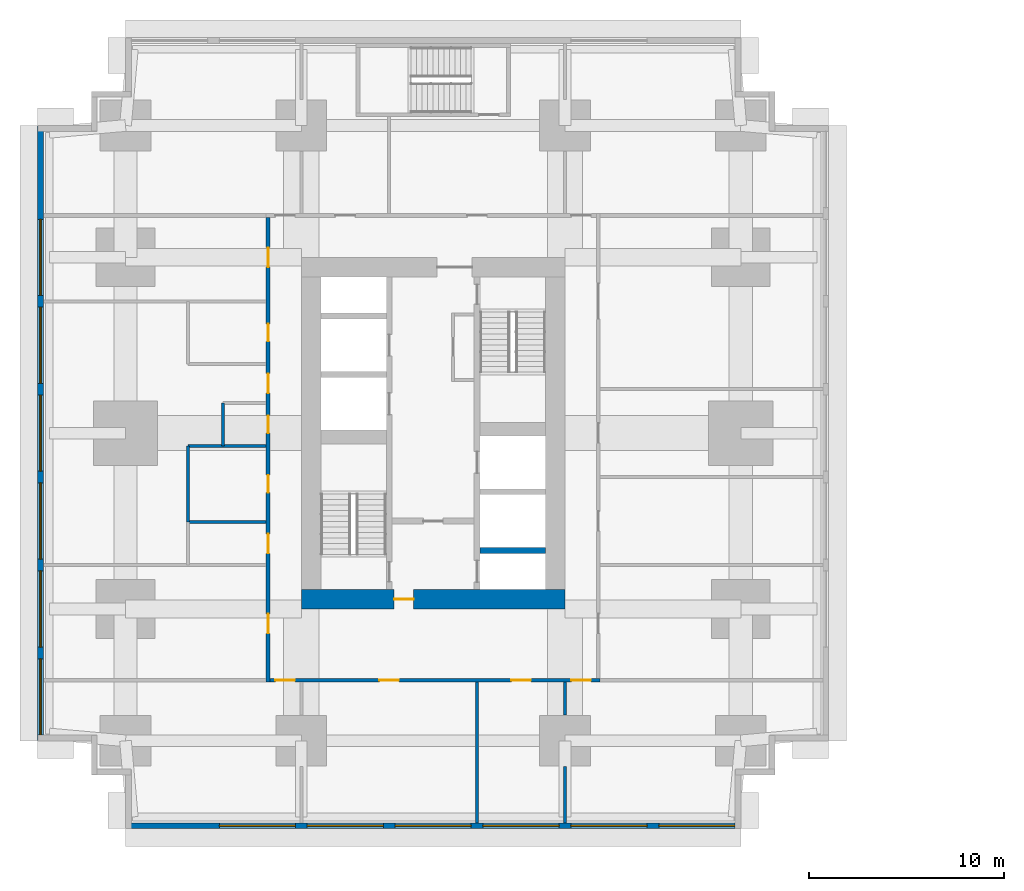
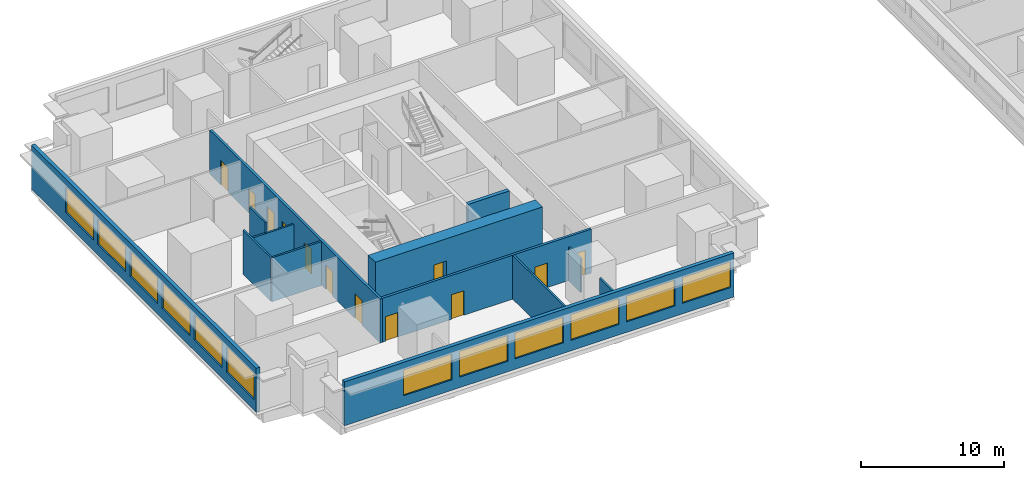
# One storey, part 3 of 11: 13 walls, 12 doors, 12 windows, 24 openings.
"""IFC4 building model written with IfcOpenShell, lengths in metres."""

import ifcopenshell
import ifcopenshell.guid

model = None  # the IFC model being written
_history = None  # IfcOwnerHistory: only IFC2X3 demands one
_inside = {}  # id of a spatial element -> (the spatial element, [elements in it])
_under = {}  # id of a project, library or spatial element -> (it, [spatial elements below it])
_declared = {}  # id of a project -> (the project, [libraries it declares])
_typed = {}  # id of a type object -> (the type object, [elements of that type])
_made_of = {}  # id of a material, layer set ... -> (it, [elements and type objects made of it])


def new_model(schema):
    """Start an empty IFC model of exactly this schema.

    Asked for "IFC4X3", IfcOpenShell would pick the latest addendum, in which some entities
    have other attributes; the version numbers below select the first issue.
    IFC2X3 requires an IfcOwnerHistory on every rooted entity: one is made here for all.
    """
    global model, _history
    if schema == "IFC4X3":
        model = ifcopenshell.file(schema_version=(4, 3, 0, 0))
    else:
        model = ifcopenshell.file(schema=schema)
    _inside.clear()
    _under.clear()
    _declared.clear()
    _typed.clear()
    _made_of.clear()
    _history = None
    if model.schema == "IFC2X3":
        org = make("IfcOrganization", Name="unknown")
        user = make(
            "IfcPersonAndOrganization",
            ThePerson=make("IfcPerson", FamilyName="unknown"),
            TheOrganization=org,
        )
        app = make(
            "IfcApplication",
            ApplicationDeveloper=org,
            Version="unknown",
            ApplicationFullName="unknown",
            ApplicationIdentifier="unknown",
        )
        _history = make(
            "IfcOwnerHistory",
            OwningUser=user,
            OwningApplication=app,
            ChangeAction="ADDED",
            CreationDate=0,
        )
    return model


def make(cls, **values):
    """One entity of the class cls with the attributes given. An attribute that is None is left unset."""
    return model.create_entity(
        cls, **{name: value for name, value in values.items() if value is not None}
    )


def rooted(cls, **values):
    """An entity with a GlobalId (a new one), such as an element, a storey or a relation."""
    return make(cls, GlobalId=ifcopenshell.guid.new(), OwnerHistory=_history, **values)


def si_unit(unit_type, name, prefix=None):
    """IfcSIUnit, for example si_unit("LENGTHUNIT", "METRE", prefix="MILLI")."""
    return make("IfcSIUnit", UnitType=unit_type, Prefix=prefix, Name=name)


def assignment(units):
    """IfcUnitAssignment: the units of a project."""
    return None if units is None else make("IfcUnitAssignment", Units=units)


def point(xyz):
    """IfcCartesianPoint."""
    return None if xyz is None else make("IfcCartesianPoint", Coordinates=xyz)


def direction(xyz):
    """IfcDirection."""
    return None if xyz is None else make("IfcDirection", DirectionRatios=xyz)


def frame(location, z_axis=None, x_axis=None):
    """IfcAxis2Placement3D, a coordinate frame: its origin and axes. An axis left out is left unset."""
    return make(
        "IfcAxis2Placement3D",
        Location=point(location),
        Axis=direction(z_axis),
        RefDirection=direction(x_axis),
    )


def frame_2d(location, x_axis=None):
    """IfcAxis2Placement2D, a coordinate frame in the plane: its origin and x axis."""
    return make(
        "IfcAxis2Placement2D", Location=point(location), RefDirection=direction(x_axis)
    )


def origin():
    """The frame at (0, 0, 0) with its axes left unset."""
    return frame((0.0, 0.0, 0.0))


def place(relative_to, where):
    """IfcLocalPlacement: puts the frame where relative to a parent placement (None: the world)."""
    return make(
        "IfcLocalPlacement", PlacementRelTo=relative_to, RelativePlacement=where
    )


def context(
    kind, dimensions, precision=None, world=None, true_north=None, identifier=None
):
    """IfcGeometricRepresentationContext, for example the 3D "Model" context."""
    return make(
        "IfcGeometricRepresentationContext",
        ContextIdentifier=identifier,
        ContextType=kind,
        CoordinateSpaceDimension=dimensions,
        Precision=precision,
        WorldCoordinateSystem=world,
        TrueNorth=true_north,
    )


def subcontext(parent, identifier, kind, view, scale=None):
    """IfcGeometricRepresentationSubContext, for example "Body" below "Model"."""
    return make(
        "IfcGeometricRepresentationSubContext",
        ContextIdentifier=identifier,
        ContextType=kind,
        ParentContext=parent,
        TargetScale=scale,
        TargetView=view,
    )


def project(units=None, contexts=None):
    """IfcProject with its units and contexts."""
    return rooted(
        "IfcProject",
        Name="project",
        RepresentationContexts=contexts,
        UnitsInContext=assignment(units),
    )


def spatial(cls, under=None, at=None, **own):
    """A site, building, storey or space (cls), placed at a placement, below another one or the project."""
    s = rooted(cls, ObjectPlacement=at, **own)
    if under is not None:
        _under.setdefault(under.id(), (under, []))[1].append(s)
    return s


def profile(cls, at=None, kind="AREA", **sizes):
    """A parametric profile (cls). Its sizes go by their IFC names, for example OverallWidth=200.0."""
    return make(cls, ProfileType=kind, Position=at, **sizes)


def rectangle(**sizes):
    """IfcRectangleProfileDef."""
    return profile("IfcRectangleProfileDef", **sizes)


def extrude(swept, where, along, depth):
    """IfcExtrudedAreaSolid: the profile swept, set in the frame where, extruded along a direction by depth."""
    return make(
        "IfcExtrudedAreaSolid",
        SweptArea=swept,
        Position=where,
        ExtrudedDirection=direction(along),
        Depth=depth,
    )


def shape(context_of_items, identifier, shape_type, items):
    """IfcShapeRepresentation: the items that make up one representation, for example the "Body"."""
    return make(
        "IfcShapeRepresentation",
        ContextOfItems=context_of_items,
        RepresentationIdentifier=identifier,
        RepresentationType=shape_type,
        Items=items,
    )


def material(Name=None, Category=None):
    """IfcMaterial."""
    return make("IfcMaterial", Name=Name, Category=Category)


def layer(
    of_material, thickness, ventilated=None, Name=None, Category=None, Priority=None
):
    """IfcMaterialLayer: one layer of a wall or slab, of a material (None: an air gap)."""
    return make(
        "IfcMaterialLayer",
        Material=of_material,
        LayerThickness=thickness,
        IsVentilated=ventilated,
        Name=Name,
        Category=Category,
        Priority=Priority,
    )


def layer_set(layers, Name=None):
    """IfcMaterialLayerSet."""
    return make("IfcMaterialLayerSet", MaterialLayers=layers, LayerSetName=Name)


def made_of(thing, what):
    """Note that an element or type object is made of a material, layer set ...; save() writes the relation."""
    if what is not None:
        _made_of.setdefault(what.id(), (what, []))[1].append(thing)
    return thing


def type_object(cls, material=None, **own):
    """A type object (cls), such as IfcWallType, which elements share."""
    return made_of(rooted(cls, **own), material)


def element(
    cls,
    number,
    at=None,
    inside=None,
    cuts=None,
    type_object=None,
    material=None,
    context=None,
    identifier="Body",
    shape_type=None,
    held_by="IfcProductDefinitionShape",
    body=None,
    shapes=None,
    **own,
):
    """One element of the class cls, such as IfcWall. Its Tag is "e" and its number.

    at: its placement. inside: the storey or other place that contains it. cuts: it is an
    opening in that element (IfcRelVoidsElement). A single representation is given by context,
    identifier, shape_type and body (its items); several are given by shapes. held_by: the class
    of the entity that holds the representations. save() writes the other relations.
    """
    e = rooted(cls, Tag="e%d" % number, ObjectPlacement=at, **own)
    if body is not None:
        shapes = [shape(context, identifier, shape_type, body)]
    if shapes is not None:
        e.Representation = make(held_by, Representations=shapes)
    if inside is not None:
        _inside.setdefault(inside.id(), (inside, []))[1].append(e)
    if cuts is not None:
        rooted(
            "IfcRelVoidsElement", RelatingBuildingElement=cuts, RelatedOpeningElement=e
        )
    if type_object is not None:
        _typed.setdefault(type_object.id(), (type_object, []))[1].append(e)
    return made_of(e, material)


def fill(opening, filler):
    """IfcRelFillsElement: the door or window that sits in an opening."""
    return rooted(
        "IfcRelFillsElement",
        RelatingOpeningElement=opening,
        RelatedBuildingElement=filler,
    )


def aggregate(whole, parts):
    """IfcRelAggregates: a whole, such as a stair, and the parts it consists of."""
    return rooted("IfcRelAggregates", RelatingObject=whole, RelatedObjects=parts)


def save(model, path):
    """Write the relations noted so far, then the file.

    IfcRelAggregates (storeys below a building ...), IfcRelContainedInSpatialStructure (elements
    in a storey), IfcRelDefinesByType, IfcRelAssociatesMaterial and IfcRelDeclares: one each for
    every whole, place, type object, material and project.
    """
    for whole, parts in _under.values():
        aggregate(whole, parts)
    for where, things in _inside.values():
        rooted(
            "IfcRelContainedInSpatialStructure",
            RelatedElements=things,
            RelatingStructure=where,
        )
    for kind, things in _typed.values():
        rooted("IfcRelDefinesByType", RelatedObjects=things, RelatingType=kind)
    for what, things in _made_of.values():
        rooted("IfcRelAssociatesMaterial", RelatedObjects=things, RelatingMaterial=what)
    for by, libraries in _declared.values():
        rooted("IfcRelDeclares", RelatingContext=by, RelatedDefinitions=libraries)
    model.write(path)


model = new_model("IFC4")

# Units and contexts
model_context = context("Model", 3, precision=1e-05, world=origin(), true_north=direction((0.0, 1.0)))
body_context = subcontext(model_context, "Body", "Model", "MODEL_VIEW")
ifc_project = project(units=[si_unit("LENGTHUNIT", "METRE"), si_unit("AREAUNIT", "SQUARE_METRE"), si_unit("VOLUMEUNIT", "CUBIC_METRE"), si_unit("PLANEANGLEUNIT", "RADIAN"), si_unit("MASSUNIT", "GRAM", prefix="KILO")], contexts=[model_context])

# Site, building, storey
site_placement = place(None, origin())
site = spatial("IfcSite", under=ifc_project, at=site_placement, CompositionType="ELEMENT")
building_placement = place(site_placement, origin())
building = spatial("IfcBuilding", under=site, at=building_placement, Name="Namib Vertical Campus", CompositionType="ELEMENT")
storey_placement = place(building_placement, frame((0.0, 0.0, 29.0)))
storey = spatial("IfcBuildingStorey", under=building, at=storey_placement, Name="L06", CompositionType="ELEMENT", Elevation=29.0)

# Wall
ifc_material_1 = material(Name="Concrete C60/75", Category="concrete")
ifc_layer_1 = layer(ifc_material_1, 0.300048828125)
ifc_layer_set_1 = layer_set([ifc_layer_1], Name="Concrete C60/75")
wall_type_1 = type_object("IfcWallType", Name="Core inner wall 300", PredefinedType="SHEAR", material=ifc_layer_set_1)
wall_1_placement = place(storey_placement, frame((22.64990234375, 14.25, 0.0), z_axis=(0.0, 0.0, 1.0), x_axis=(1.0, 0.0, 0.0)))
element("IfcWall", 1, at=wall_1_placement, inside=storey, type_object=wall_type_1, Name="Core inner wall A L06 W5", PredefinedType="SHEAR", context=body_context, shape_type="SweptSolid", body=[
    extrude(rectangle(XDim=3.35009765625, YDim=0.300048828125, at=frame_2d((1.675048828125, 0.0))), origin(), (0.0, 0.0, 1.0), 4.0),
])

# Wall, opening, door
ifc_material_2 = material(Name="Concrete C60/75", Category="concrete")
ifc_layer_2 = layer(ifc_material_2, 1.0)
ifc_layer_set_2 = layer_set([ifc_layer_2], Name="Concrete C60/75")
wall_type_2 = type_object("IfcWallType", Name="Core wall 1000", PredefinedType="SHEAR", material=ifc_layer_set_2)
wall_2_placement = place(storey_placement, frame((13.5, 11.75, 0.0), z_axis=(0.0, 0.0, 1.0), x_axis=(1.0, 0.0, 0.0)))
wall_2 = element("IfcWall", 2, at=wall_2_placement, inside=storey, type_object=wall_type_2, Name="Core wall A L06 1", PredefinedType="SHEAR", context=body_context, shape_type="SweptSolid", body=[
    extrude(rectangle(XDim=13.5, YDim=1.0, at=frame_2d((6.75, 0.0))), origin(), (0.0, 0.0, 1.0), 4.0),
])
opening_1_placement = place(wall_2_placement, frame((4.75, 0.0, 0.0)))
opening_1 = element("IfcOpeningElement", 3, at=opening_1_placement, cuts=wall_2, Name="Opening FD5", PredefinedType="OPENING", context=body_context, shape_type="SweptSolid", body=[
    extrude(rectangle(XDim=1.0, YDim=2.10009765625, at=frame_2d((0.5, 1.050048828125))), frame((0.0, 0.510009765625, 0.0), z_axis=(0.0, -1.0, 0.0), x_axis=(1.0, 0.0, 0.0)), (0.0, 0.0, 1.0), 1.02001953125),
])
ifc_material_3 = material(Name="Steel fire door", Category="steel")
door_type_1 = type_object("IfcDoorType", Name="Fire door 1000x2100 120 min", OperationType="SINGLE_SWING_RIGHT", PredefinedType="DOOR", material=ifc_material_3)
door_1_placement = place(opening_1_placement, origin())
door_1 = element("IfcDoor", 4, at=door_1_placement, inside=storey, type_object=door_type_1, Name="Firefighting lobby door FD5 A L06", OperationType="SINGLE_SWING_LEFT", OverallHeight=2.10009765625, OverallWidth=1.0, PredefinedType="DOOR", context=body_context, shape_type="SweptSolid", body=[
    extrude(rectangle(XDim=1.0, YDim=2.10009765625, at=frame_2d((0.5, 1.050048828125))), frame((0.0, 0.02490234375, 0.0), z_axis=(0.0, -1.0, 0.0), x_axis=(1.0, 0.0, 0.0)), (0.0, 0.0, 1.0), 0.050048828125),
])
fill(opening_1, door_1)

# Wall, openings, doors
ifc_material_4 = material(Name="Concrete masonry", Category="masonry")
ifc_layer_3 = layer(ifc_material_4, 0.199951171875)
ifc_layer_set_3 = layer_set([ifc_layer_3], Name="Corridor wall 200")
wall_type_3 = type_object("IfcWallType", Name="Corridor wall 200", PredefinedType="SOLIDWALL", material=ifc_layer_set_3)
wall_3_placement = place(storey_placement, frame((11.89990234375, 7.60009765625, 0.0), z_axis=(0.0, 0.0, 1.0), x_axis=(1.0, 0.0, 0.0)))
wall_3 = element("IfcWall", 5, at=wall_3_placement, inside=storey, type_object=wall_type_3, Name="Corridor wall A L06 CS", PredefinedType="SOLIDWALL", context=body_context, shape_type="SweptSolid", body=[
    extrude(rectangle(XDim=16.900146484375, YDim=0.199951171875, at=frame_2d((8.4501953125, 0.0))), origin(), (0.0, 0.0, 1.0), 3.75),
])
opening_2_placement = place(wall_3_placement, frame((0.27490234375, 0.0, 0.0)))
opening_2 = element("IfcOpeningElement", 6, at=opening_2_placement, cuts=wall_3, Name="Opening CD1", PredefinedType="OPENING", context=body_context, shape_type="SweptSolid", body=[
    extrude(rectangle(XDim=1.0, YDim=2.10009765625, at=frame_2d((0.5, 1.050048828125))), frame((0.0, 0.10986328125, 0.0), z_axis=(0.0, -1.0, 0.0), x_axis=(1.0, 0.0, 0.0)), (0.0, 0.0, 1.0), 0.219970703125),
])
opening_3_placement = place(wall_3_placement, frame((5.60009765625, 0.0, 0.0)))
opening_3 = element("IfcOpeningElement", 7, at=opening_3_placement, cuts=wall_3, Name="Opening CD1", PredefinedType="OPENING", context=body_context, shape_type="SweptSolid", body=[
    extrude(rectangle(XDim=1.0, YDim=2.10009765625, at=frame_2d((0.5, 1.050048828125))), frame((0.0, 0.10986328125, 0.0), z_axis=(0.0, -1.0, 0.0), x_axis=(1.0, 0.0, 0.0)), (0.0, 0.0, 1.0), 0.219970703125),
])
opening_4_placement = place(wall_3_placement, frame((12.35009765625, 0.0, 0.0)))
opening_4 = element("IfcOpeningElement", 8, at=opening_4_placement, cuts=wall_3, Name="Opening CD1", PredefinedType="OPENING", context=body_context, shape_type="SweptSolid", body=[
    extrude(rectangle(XDim=1.0, YDim=2.10009765625, at=frame_2d((0.5, 1.050048828125))), frame((0.0, 0.10986328125, 0.0), z_axis=(0.0, -1.0, 0.0), x_axis=(1.0, 0.0, 0.0)), (0.0, 0.0, 1.0), 0.219970703125),
])
opening_5_placement = place(wall_3_placement, frame((15.425048828125, 0.0, 0.0)))
opening_5 = element("IfcOpeningElement", 9, at=opening_5_placement, cuts=wall_3, Name="Opening CD1", PredefinedType="OPENING", context=body_context, shape_type="SweptSolid", body=[
    extrude(rectangle(XDim=1.0, YDim=2.10009765625, at=frame_2d((0.5, 1.050048828125))), frame((0.0, 0.10986328125, 0.0), z_axis=(0.0, -1.0, 0.0), x_axis=(1.0, 0.0, 0.0)), (0.0, 0.0, 1.0), 0.219970703125),
])
ifc_material_5 = material(Name="Timber fire door leaf", Category="wood")
door_type_2 = type_object("IfcDoorType", Name="Corridor door 1000x2100 20 min", OperationType="SINGLE_SWING_LEFT", PredefinedType="DOOR", material=ifc_material_5)
door_2_placement = place(opening_2_placement, frame((1.0, 0.0, 0.0), z_axis=(0.0, 0.0, 1.0), x_axis=(-1.0, 0.0, 0.0)))
door_2 = element("IfcDoor", 10, at=door_2_placement, inside=storey, type_object=door_type_2, Name="Door CD1 A06-01", OperationType="SINGLE_SWING_LEFT", OverallHeight=2.10009765625, OverallWidth=1.0, PredefinedType="DOOR", context=body_context, shape_type="SweptSolid", body=[
    extrude(rectangle(XDim=1.0, YDim=2.10009765625, at=frame_2d((0.5, 1.050048828125))), frame((0.0, 0.02490234375, 0.0), z_axis=(0.0, -1.0, 0.0), x_axis=(1.0, 0.0, 0.0)), (0.0, 0.0, 1.0), 0.050048828125),
])
fill(opening_2, door_2)
door_3_placement = place(opening_3_placement, frame((1.0, 0.0, 0.0), z_axis=(0.0, 0.0, 1.0), x_axis=(-1.0, 0.0, 0.0)))
door_3 = element("IfcDoor", 11, at=door_3_placement, inside=storey, type_object=door_type_2, Name="Door CD1 A06-02", OperationType="SINGLE_SWING_RIGHT", OverallHeight=2.10009765625, OverallWidth=1.0, PredefinedType="DOOR", context=body_context, shape_type="SweptSolid", body=[
    extrude(rectangle(XDim=1.0, YDim=2.10009765625, at=frame_2d((0.5, 1.050048828125))), frame((0.0, 0.02490234375, 0.0), z_axis=(0.0, -1.0, 0.0), x_axis=(1.0, 0.0, 0.0)), (0.0, 0.0, 1.0), 0.050048828125),
])
fill(opening_3, door_3)
door_4_placement = place(opening_4_placement, frame((1.0, 0.0, 0.0), z_axis=(0.0, 0.0, 1.0), x_axis=(-1.0, 0.0, 0.0)))
door_4 = element("IfcDoor", 12, at=door_4_placement, inside=storey, type_object=door_type_2, Name="Door CD1 A06-03", OperationType="SINGLE_SWING_RIGHT", OverallHeight=2.10009765625, OverallWidth=1.0, PredefinedType="DOOR", context=body_context, shape_type="SweptSolid", body=[
    extrude(rectangle(XDim=1.0, YDim=2.10009765625, at=frame_2d((0.5, 1.050048828125))), frame((0.0, 0.02490234375, 0.0), z_axis=(0.0, -1.0, 0.0), x_axis=(1.0, 0.0, 0.0)), (0.0, 0.0, 1.0), 0.050048828125),
])
fill(opening_4, door_4)
door_5_placement = place(opening_5_placement, frame((1.0, 0.0, 0.0), z_axis=(0.0, 0.0, 1.0), x_axis=(-1.0, 0.0, 0.0)))
door_5 = element("IfcDoor", 13, at=door_5_placement, inside=storey, type_object=door_type_2, Name="Door CD1 A06-04", OperationType="SINGLE_SWING_RIGHT", OverallHeight=2.10009765625, OverallWidth=1.0, PredefinedType="DOOR", context=body_context, shape_type="SweptSolid", body=[
    extrude(rectangle(XDim=1.0, YDim=2.10009765625, at=frame_2d((0.5, 1.050048828125))), frame((0.0, 0.02490234375, 0.0), z_axis=(0.0, -1.0, 0.0), x_axis=(1.0, 0.0, 0.0)), (0.0, 0.0, 1.0), 0.050048828125),
])
fill(opening_5, door_5)

wall_4_placement = place(storey_placement, frame((11.800048828125, 31.300048828125, 0.0), z_axis=(0.0, 0.0, 1.0), x_axis=(0.0, -1.0, 0.0)))
wall_4 = element("IfcWall", 14, at=wall_4_placement, inside=storey, type_object=wall_type_3, Name="Corridor wall A L06 CW", PredefinedType="SOLIDWALL", context=body_context, shape_type="SweptSolid", body=[
    extrude(rectangle(XDim=23.800048828125, YDim=0.199951171875, at=frame_2d((11.89990234375, 0.0))), origin(), (0.0, 0.0, 1.0), 3.75),
])
opening_6_placement = place(wall_4_placement, frame((20.300048828125, 0.0, 0.0)))
opening_6 = element("IfcOpeningElement", 15, at=opening_6_placement, cuts=wall_4, Name="Opening CD1", PredefinedType="OPENING", context=body_context, shape_type="SweptSolid", body=[
    extrude(rectangle(XDim=1.0, YDim=2.10009765625, at=frame_2d((0.5, 1.050048828125))), frame((0.0, 0.10986328125, 0.0), z_axis=(0.0, -1.0, 0.0), x_axis=(1.0, 0.0, 0.0)), (0.0, 0.0, 1.0), 0.219970703125),
])
opening_7_placement = place(wall_4_placement, frame((16.199951171875, 0.0, 0.0)))
opening_7 = element("IfcOpeningElement", 16, at=opening_7_placement, cuts=wall_4, Name="Opening CD1", PredefinedType="OPENING", context=body_context, shape_type="SweptSolid", body=[
    extrude(rectangle(XDim=1.0, YDim=2.10009765625, at=frame_2d((0.5, 1.050048828125))), frame((0.0, 0.10986328125, 0.0), z_axis=(0.0, -1.0, 0.0), x_axis=(1.0, 0.0, 0.0)), (0.0, 0.0, 1.0), 0.219970703125),
])
opening_8_placement = place(wall_4_placement, frame((13.199951171875, 0.0, 0.0)))
opening_8 = element("IfcOpeningElement", 17, at=opening_8_placement, cuts=wall_4, Name="Opening CD3", PredefinedType="OPENING", context=body_context, shape_type="SweptSolid", body=[
    extrude(rectangle(XDim=0.89990234375, YDim=2.10009765625, at=frame_2d((0.449951171875, 1.050048828125))), frame((0.0, 0.10986328125, 0.0), z_axis=(0.0, -1.0, 0.0), x_axis=(1.0, 0.0, 0.0)), (0.0, 0.0, 1.0), 0.219970703125),
])
opening_9_placement = place(wall_4_placement, frame((10.14990234375, 0.0, 0.0)))
opening_9 = element("IfcOpeningElement", 18, at=opening_9_placement, cuts=wall_4, Name="Opening CD3", PredefinedType="OPENING", context=body_context, shape_type="SweptSolid", body=[
    extrude(rectangle(XDim=0.89990234375, YDim=2.10009765625, at=frame_2d((0.449951171875, 1.050048828125))), frame((0.0, 0.10986328125, 0.0), z_axis=(0.0, -1.0, 0.0), x_axis=(1.0, 0.0, 0.0)), (0.0, 0.0, 1.0), 0.219970703125),
])
opening_10_placement = place(wall_4_placement, frame((5.449951171875, 0.0, 0.0)))
opening_10 = element("IfcOpeningElement", 19, at=opening_10_placement, cuts=wall_4, Name="Opening CD3", PredefinedType="OPENING", context=body_context, shape_type="SweptSolid", body=[
    extrude(rectangle(XDim=0.89990234375, YDim=2.10009765625, at=frame_2d((0.449951171875, 1.050048828125))), frame((0.0, 0.10986328125, 0.0), z_axis=(0.0, -1.0, 0.0), x_axis=(1.0, 0.0, 0.0)), (0.0, 0.0, 1.0), 0.219970703125),
])
opening_11_placement = place(wall_4_placement, frame((8.0, 0.0, 0.0)))
opening_11 = element("IfcOpeningElement", 20, at=opening_11_placement, cuts=wall_4, Name="Opening CD1", PredefinedType="OPENING", context=body_context, shape_type="SweptSolid", body=[
    extrude(rectangle(XDim=1.0, YDim=2.10009765625, at=frame_2d((0.5, 1.050048828125))), frame((0.0, 0.10986328125, 0.0), z_axis=(0.0, -1.0, 0.0), x_axis=(1.0, 0.0, 0.0)), (0.0, 0.0, 1.0), 0.219970703125),
])
opening_12_placement = place(wall_4_placement, frame((1.550048828125, 0.0, 0.0)))
opening_12 = element("IfcOpeningElement", 21, at=opening_12_placement, cuts=wall_4, Name="Opening CD1", PredefinedType="OPENING", context=body_context, shape_type="SweptSolid", body=[
    extrude(rectangle(XDim=1.0, YDim=2.10009765625, at=frame_2d((0.5, 1.050048828125))), frame((0.0, 0.10986328125, 0.0), z_axis=(0.0, -1.0, 0.0), x_axis=(1.0, 0.0, 0.0)), (0.0, 0.0, 1.0), 0.219970703125),
])
door_6_placement = place(opening_6_placement, frame((1.0, 0.0, 0.0), z_axis=(0.0, 0.0, 1.0), x_axis=(-1.0, 0.0, 0.0)))
door_6 = element("IfcDoor", 22, at=door_6_placement, inside=storey, type_object=door_type_2, Name="Door CD1 A06-13", OperationType="SINGLE_SWING_RIGHT", OverallHeight=2.10009765625, OverallWidth=1.0, PredefinedType="DOOR", context=body_context, shape_type="SweptSolid", body=[
    extrude(rectangle(XDim=1.0, YDim=2.10009765625, at=frame_2d((0.5, 1.050048828125))), frame((0.0, 0.02490234375, 0.0), z_axis=(0.0, -1.0, 0.0), x_axis=(1.0, 0.0, 0.0)), (0.0, 0.0, 1.0), 0.050048828125),
])
fill(opening_6, door_6)
door_7_placement = place(opening_7_placement, frame((1.0, 0.0, 0.0), z_axis=(0.0, 0.0, 1.0), x_axis=(-1.0, 0.0, 0.0)))
door_7 = element("IfcDoor", 23, at=door_7_placement, inside=storey, type_object=door_type_2, Name="Door CD1 A06-14", OperationType="SINGLE_SWING_RIGHT", OverallHeight=2.10009765625, OverallWidth=1.0, PredefinedType="DOOR", context=body_context, shape_type="SweptSolid", body=[
    extrude(rectangle(XDim=1.0, YDim=2.10009765625, at=frame_2d((0.5, 1.050048828125))), frame((0.0, 0.02490234375, 0.0), z_axis=(0.0, -1.0, 0.0), x_axis=(1.0, 0.0, 0.0)), (0.0, 0.0, 1.0), 0.050048828125),
])
fill(opening_7, door_7)
door_8_placement = place(opening_11_placement, frame((1.0, 0.0, 0.0), z_axis=(0.0, 0.0, 1.0), x_axis=(-1.0, 0.0, 0.0)))
door_8 = element("IfcDoor", 24, at=door_8_placement, inside=storey, type_object=door_type_2, Name="Door CD1 A06-18", OperationType="SINGLE_SWING_RIGHT", OverallHeight=2.10009765625, OverallWidth=1.0, PredefinedType="DOOR", context=body_context, shape_type="SweptSolid", body=[
    extrude(rectangle(XDim=1.0, YDim=2.10009765625, at=frame_2d((0.5, 1.050048828125))), frame((0.0, 0.02490234375, 0.0), z_axis=(0.0, -1.0, 0.0), x_axis=(1.0, 0.0, 0.0)), (0.0, 0.0, 1.0), 0.050048828125),
])
fill(opening_11, door_8)
door_9_placement = place(opening_12_placement, frame((1.0, 0.0, 0.0), z_axis=(0.0, 0.0, 1.0), x_axis=(-1.0, 0.0, 0.0)))
door_9 = element("IfcDoor", 25, at=door_9_placement, inside=storey, type_object=door_type_2, Name="Door CD1 A06-19", OperationType="SINGLE_SWING_RIGHT", OverallHeight=2.10009765625, OverallWidth=1.0, PredefinedType="DOOR", context=body_context, shape_type="SweptSolid", body=[
    extrude(rectangle(XDim=1.0, YDim=2.10009765625, at=frame_2d((0.5, 1.050048828125))), frame((0.0, 0.02490234375, 0.0), z_axis=(0.0, -1.0, 0.0), x_axis=(1.0, 0.0, 0.0)), (0.0, 0.0, 1.0), 0.050048828125),
])
fill(opening_12, door_9)
ifc_material_6 = material(Name="Timber fire door leaf", Category="wood")
door_type_3 = type_object("IfcDoorType", Name="Corridor toilet door 900x2100 20 min", OperationType="SINGLE_SWING_LEFT", PredefinedType="DOOR", material=ifc_material_6)
door_10_placement = place(opening_8_placement, frame((0.89990234375, 0.0, 0.0), z_axis=(0.0, 0.0, 1.0), x_axis=(-1.0, 0.0, 0.0)))
door_10 = element("IfcDoor", 26, at=door_10_placement, inside=storey, type_object=door_type_3, Name="Door CD3 A06-15", OperationType="SINGLE_SWING_RIGHT", OverallHeight=2.10009765625, OverallWidth=0.89990234375, PredefinedType="DOOR", context=body_context, shape_type="SweptSolid", body=[
    extrude(rectangle(XDim=0.89990234375, YDim=2.10009765625, at=frame_2d((0.449951171875, 1.050048828125))), frame((0.0, 0.02490234375, 0.0), z_axis=(0.0, -1.0, 0.0), x_axis=(1.0, 0.0, 0.0)), (0.0, 0.0, 1.0), 0.050048828125),
])
fill(opening_8, door_10)
door_11_placement = place(opening_9_placement, frame((0.89990234375, 0.0, 0.0), z_axis=(0.0, 0.0, 1.0), x_axis=(-1.0, 0.0, 0.0)))
door_11 = element("IfcDoor", 27, at=door_11_placement, inside=storey, type_object=door_type_3, Name="Door CD3 A06-16", OperationType="SINGLE_SWING_RIGHT", OverallHeight=2.10009765625, OverallWidth=0.89990234375, PredefinedType="DOOR", context=body_context, shape_type="SweptSolid", body=[
    extrude(rectangle(XDim=0.89990234375, YDim=2.10009765625, at=frame_2d((0.449951171875, 1.050048828125))), frame((0.0, 0.02490234375, 0.0), z_axis=(0.0, -1.0, 0.0), x_axis=(1.0, 0.0, 0.0)), (0.0, 0.0, 1.0), 0.050048828125),
])
fill(opening_9, door_11)
door_12_placement = place(opening_10_placement, frame((0.89990234375, 0.0, 0.0), z_axis=(0.0, 0.0, 1.0), x_axis=(-1.0, 0.0, 0.0)))
door_12 = element("IfcDoor", 28, at=door_12_placement, inside=storey, type_object=door_type_3, Name="Door CD3 A06-17", OperationType="SINGLE_SWING_RIGHT", OverallHeight=2.10009765625, OverallWidth=0.89990234375, PredefinedType="DOOR", context=body_context, shape_type="SweptSolid", body=[
    extrude(rectangle(XDim=0.89990234375, YDim=2.10009765625, at=frame_2d((0.449951171875, 1.050048828125))), frame((0.0, 0.02490234375, 0.0), z_axis=(0.0, -1.0, 0.0), x_axis=(1.0, 0.0, 0.0)), (0.0, 0.0, 1.0), 0.050048828125),
])
fill(opening_10, door_12)

# Wall, openings, windows
ifc_material_7 = material(Name="Concrete C40/50", Category="concrete")
ifc_layer_4 = layer(ifc_material_7, 0.300048828125)
ifc_layer_set_4 = layer_set([ifc_layer_4], Name="Concrete C40/50")
wall_type_4 = type_object("IfcWallType", Name="External wall 300 board-marked concrete", PredefinedType="STANDARD", material=ifc_layer_set_4)
wall_5_placement = place(storey_placement, frame((4.52001953125, 0.14990234375, 0.0), z_axis=(0.0, 0.0, 1.0), x_axis=(1.0, 0.0, 0.0)))
wall_5 = element("IfcWall", 29, at=wall_5_placement, inside=storey, type_object=wall_type_4, Name="External wall L06 F01", PredefinedType="STANDARD", context=body_context, shape_type="SweptSolid", body=[
    extrude(rectangle(XDim=31.4599609375, YDim=0.300048828125, at=frame_2d((15.72998046875, 0.0))), origin(), (0.0, 0.0, 1.0), 3.75),
])
opening_13_placement = place(wall_5_placement, frame((4.780029296875, 0.0, 0.89990234375)))
opening_13 = element("IfcOpeningElement", 30, at=opening_13_placement, cuts=wall_5, Name="Opening W1", PredefinedType="OPENING", context=body_context, shape_type="SweptSolid", body=[
    extrude(rectangle(XDim=3.89990234375, YDim=2.199951171875, at=frame_2d((1.949951171875, 1.10009765625))), frame((0.0, 0.159912109375, 0.0), z_axis=(0.0, -1.0, 0.0), x_axis=(1.0, 0.0, 0.0)), (0.0, 0.0, 1.0), 0.320068359375),
])
opening_14_placement = place(wall_5_placement, frame((9.280029296875, 0.0, 0.89990234375)))
opening_14 = element("IfcOpeningElement", 31, at=opening_14_placement, cuts=wall_5, Name="Opening W1", PredefinedType="OPENING", context=body_context, shape_type="SweptSolid", body=[
    extrude(rectangle(XDim=3.89990234375, YDim=2.199951171875, at=frame_2d((1.949951171875, 1.10009765625))), frame((0.0, 0.159912109375, 0.0), z_axis=(0.0, -1.0, 0.0), x_axis=(1.0, 0.0, 0.0)), (0.0, 0.0, 1.0), 0.320068359375),
])
opening_15_placement = place(wall_5_placement, frame((13.780029296875, 0.0, 0.89990234375)))
opening_15 = element("IfcOpeningElement", 32, at=opening_15_placement, cuts=wall_5, Name="Opening W1", PredefinedType="OPENING", context=body_context, shape_type="SweptSolid", body=[
    extrude(rectangle(XDim=3.89990234375, YDim=2.199951171875, at=frame_2d((1.949951171875, 1.10009765625))), frame((0.0, 0.159912109375, 0.0), z_axis=(0.0, -1.0, 0.0), x_axis=(1.0, 0.0, 0.0)), (0.0, 0.0, 1.0), 0.320068359375),
])
opening_16_placement = place(wall_5_placement, frame((18.280029296875, 0.0, 0.89990234375)))
opening_16 = element("IfcOpeningElement", 33, at=opening_16_placement, cuts=wall_5, Name="Opening W1", PredefinedType="OPENING", context=body_context, shape_type="SweptSolid", body=[
    extrude(rectangle(XDim=3.89990234375, YDim=2.199951171875, at=frame_2d((1.949951171875, 1.10009765625))), frame((0.0, 0.159912109375, 0.0), z_axis=(0.0, -1.0, 0.0), x_axis=(1.0, 0.0, 0.0)), (0.0, 0.0, 1.0), 0.320068359375),
])
opening_17_placement = place(wall_5_placement, frame((22.780029296875, 0.0, 0.89990234375)))
opening_17 = element("IfcOpeningElement", 34, at=opening_17_placement, cuts=wall_5, Name="Opening W1", PredefinedType="OPENING", context=body_context, shape_type="SweptSolid", body=[
    extrude(rectangle(XDim=3.89990234375, YDim=2.199951171875, at=frame_2d((1.949951171875, 1.10009765625))), frame((0.0, 0.159912109375, 0.0), z_axis=(0.0, -1.0, 0.0), x_axis=(1.0, 0.0, 0.0)), (0.0, 0.0, 1.0), 0.320068359375),
])
opening_18_placement = place(wall_5_placement, frame((27.280029296875, 0.0, 0.89990234375)))
opening_18 = element("IfcOpeningElement", 35, at=opening_18_placement, cuts=wall_5, Name="Opening W1", PredefinedType="OPENING", context=body_context, shape_type="SweptSolid", body=[
    extrude(rectangle(XDim=3.89990234375, YDim=2.199951171875, at=frame_2d((1.949951171875, 1.10009765625))), frame((0.0, 0.159912109375, 0.0), z_axis=(0.0, -1.0, 0.0), x_axis=(1.0, 0.0, 0.0)), (0.0, 0.0, 1.0), 0.320068359375),
])
ifc_material_8 = material(Name="Dark tinted glass in black aluminium frame", Category="aluminium")
window_type = type_object("IfcWindowType", Name="Ribbon window 3900x2200", PartitioningType="SINGLE_PANEL", PredefinedType="WINDOW", material=ifc_material_8)
window_1_placement = place(opening_13_placement, origin())
window_1 = element("IfcWindow", 36, at=window_1_placement, inside=storey, type_object=window_type, Name="Window W1 L06 F01-2", OverallHeight=2.199951171875, OverallWidth=3.89990234375, PartitioningType="SINGLE_PANEL", PredefinedType="WINDOW", context=body_context, shape_type="SweptSolid", body=[
    extrude(rectangle(XDim=3.89990234375, YDim=2.199951171875, at=frame_2d((1.949951171875, 1.10009765625))), frame((0.0, 0.030029296875, 0.0), z_axis=(0.0, -1.0, 0.0), x_axis=(1.0, 0.0, 0.0)), (0.0, 0.0, 1.0), 0.06005859375),
])
fill(opening_13, window_1)
window_2_placement = place(opening_14_placement, origin())
window_2 = element("IfcWindow", 37, at=window_2_placement, inside=storey, type_object=window_type, Name="Window W1 L06 F01-3", OverallHeight=2.199951171875, OverallWidth=3.89990234375, PartitioningType="SINGLE_PANEL", PredefinedType="WINDOW", context=body_context, shape_type="SweptSolid", body=[
    extrude(rectangle(XDim=3.89990234375, YDim=2.199951171875, at=frame_2d((1.949951171875, 1.10009765625))), frame((0.0, 0.030029296875, 0.0), z_axis=(0.0, -1.0, 0.0), x_axis=(1.0, 0.0, 0.0)), (0.0, 0.0, 1.0), 0.06005859375),
])
fill(opening_14, window_2)
window_3_placement = place(opening_15_placement, origin())
window_3 = element("IfcWindow", 38, at=window_3_placement, inside=storey, type_object=window_type, Name="Window W1 L06 F01-4", OverallHeight=2.199951171875, OverallWidth=3.89990234375, PartitioningType="SINGLE_PANEL", PredefinedType="WINDOW", context=body_context, shape_type="SweptSolid", body=[
    extrude(rectangle(XDim=3.89990234375, YDim=2.199951171875, at=frame_2d((1.949951171875, 1.10009765625))), frame((0.0, 0.030029296875, 0.0), z_axis=(0.0, -1.0, 0.0), x_axis=(1.0, 0.0, 0.0)), (0.0, 0.0, 1.0), 0.06005859375),
])
fill(opening_15, window_3)
window_4_placement = place(opening_16_placement, origin())
window_4 = element("IfcWindow", 39, at=window_4_placement, inside=storey, type_object=window_type, Name="Window W1 L06 F01-5", OverallHeight=2.199951171875, OverallWidth=3.89990234375, PartitioningType="SINGLE_PANEL", PredefinedType="WINDOW", context=body_context, shape_type="SweptSolid", body=[
    extrude(rectangle(XDim=3.89990234375, YDim=2.199951171875, at=frame_2d((1.949951171875, 1.10009765625))), frame((0.0, 0.030029296875, 0.0), z_axis=(0.0, -1.0, 0.0), x_axis=(1.0, 0.0, 0.0)), (0.0, 0.0, 1.0), 0.06005859375),
])
fill(opening_16, window_4)
window_5_placement = place(opening_17_placement, origin())
window_5 = element("IfcWindow", 40, at=window_5_placement, inside=storey, type_object=window_type, Name="Window W1 L06 F01-6", OverallHeight=2.199951171875, OverallWidth=3.89990234375, PartitioningType="SINGLE_PANEL", PredefinedType="WINDOW", context=body_context, shape_type="SweptSolid", body=[
    extrude(rectangle(XDim=3.89990234375, YDim=2.199951171875, at=frame_2d((1.949951171875, 1.10009765625))), frame((0.0, 0.030029296875, 0.0), z_axis=(0.0, -1.0, 0.0), x_axis=(1.0, 0.0, 0.0)), (0.0, 0.0, 1.0), 0.06005859375),
])
fill(opening_17, window_5)
window_6_placement = place(opening_18_placement, origin())
window_6 = element("IfcWindow", 41, at=window_6_placement, inside=storey, type_object=window_type, Name="Window W1 L06 F01-7", OverallHeight=2.199951171875, OverallWidth=3.89990234375, PartitioningType="SINGLE_PANEL", PredefinedType="WINDOW", context=body_context, shape_type="SweptSolid", body=[
    extrude(rectangle(XDim=3.89990234375, YDim=2.199951171875, at=frame_2d((1.949951171875, 1.10009765625))), frame((0.0, 0.030029296875, 0.0), z_axis=(0.0, -1.0, 0.0), x_axis=(1.0, 0.0, 0.0)), (0.0, 0.0, 1.0), 0.06005859375),
])
fill(opening_18, window_6)

wall_6_placement = place(storey_placement, frame((0.14990234375, 35.97998046875, 0.0), z_axis=(0.0, 0.0, 1.0), x_axis=(0.0, -1.0, 0.0)))
wall_6 = element("IfcWall", 42, at=wall_6_placement, inside=storey, type_object=wall_type_4, Name="External wall L06 F16", PredefinedType="STANDARD", context=body_context, shape_type="SweptSolid", body=[
    extrude(rectangle(XDim=31.4599609375, YDim=0.300048828125, at=frame_2d((15.72998046875, 0.0))), origin(), (0.0, 0.0, 1.0), 3.75),
])
opening_19_placement = place(wall_6_placement, frame((27.280029296875, 0.0, 0.89990234375)))
opening_19 = element("IfcOpeningElement", 43, at=opening_19_placement, cuts=wall_6, Name="Opening W1", PredefinedType="OPENING", context=body_context, shape_type="SweptSolid", body=[
    extrude(rectangle(XDim=3.89990234375, YDim=2.199951171875, at=frame_2d((1.949951171875, 1.10009765625))), frame((0.0, 0.159912109375, 0.0), z_axis=(0.0, -1.0, 0.0), x_axis=(1.0, 0.0, 0.0)), (0.0, 0.0, 1.0), 0.320068359375),
])
opening_20_placement = place(wall_6_placement, frame((22.780029296875, 0.0, 0.89990234375)))
opening_20 = element("IfcOpeningElement", 44, at=opening_20_placement, cuts=wall_6, Name="Opening W1", PredefinedType="OPENING", context=body_context, shape_type="SweptSolid", body=[
    extrude(rectangle(XDim=3.89990234375, YDim=2.199951171875, at=frame_2d((1.949951171875, 1.10009765625))), frame((0.0, 0.159912109375, 0.0), z_axis=(0.0, -1.0, 0.0), x_axis=(1.0, 0.0, 0.0)), (0.0, 0.0, 1.0), 0.320068359375),
])
opening_21_placement = place(wall_6_placement, frame((18.280029296875, 0.0, 0.89990234375)))
opening_21 = element("IfcOpeningElement", 45, at=opening_21_placement, cuts=wall_6, Name="Opening W1", PredefinedType="OPENING", context=body_context, shape_type="SweptSolid", body=[
    extrude(rectangle(XDim=3.89990234375, YDim=2.199951171875, at=frame_2d((1.949951171875, 1.10009765625))), frame((0.0, 0.159912109375, 0.0), z_axis=(0.0, -1.0, 0.0), x_axis=(1.0, 0.0, 0.0)), (0.0, 0.0, 1.0), 0.320068359375),
])
opening_22_placement = place(wall_6_placement, frame((13.780029296875, 0.0, 0.89990234375)))
opening_22 = element("IfcOpeningElement", 46, at=opening_22_placement, cuts=wall_6, Name="Opening W1", PredefinedType="OPENING", context=body_context, shape_type="SweptSolid", body=[
    extrude(rectangle(XDim=3.89990234375, YDim=2.199951171875, at=frame_2d((1.949951171875, 1.10009765625))), frame((0.0, 0.159912109375, 0.0), z_axis=(0.0, -1.0, 0.0), x_axis=(1.0, 0.0, 0.0)), (0.0, 0.0, 1.0), 0.320068359375),
])
opening_23_placement = place(wall_6_placement, frame((9.280029296875, 0.0, 0.89990234375)))
opening_23 = element("IfcOpeningElement", 47, at=opening_23_placement, cuts=wall_6, Name="Opening W1", PredefinedType="OPENING", context=body_context, shape_type="SweptSolid", body=[
    extrude(rectangle(XDim=3.89990234375, YDim=2.199951171875, at=frame_2d((1.949951171875, 1.10009765625))), frame((0.0, 0.159912109375, 0.0), z_axis=(0.0, -1.0, 0.0), x_axis=(1.0, 0.0, 0.0)), (0.0, 0.0, 1.0), 0.320068359375),
])
opening_24_placement = place(wall_6_placement, frame((4.780029296875, 0.0, 0.89990234375)))
opening_24 = element("IfcOpeningElement", 48, at=opening_24_placement, cuts=wall_6, Name="Opening W1", PredefinedType="OPENING", context=body_context, shape_type="SweptSolid", body=[
    extrude(rectangle(XDim=3.89990234375, YDim=2.199951171875, at=frame_2d((1.949951171875, 1.10009765625))), frame((0.0, 0.159912109375, 0.0), z_axis=(0.0, -1.0, 0.0), x_axis=(1.0, 0.0, 0.0)), (0.0, 0.0, 1.0), 0.320068359375),
])
window_7_placement = place(opening_19_placement, origin())
window_7 = element("IfcWindow", 49, at=window_7_placement, inside=storey, type_object=window_type, Name="Window W1 L06 F16-1", OverallHeight=2.199951171875, OverallWidth=3.89990234375, PartitioningType="SINGLE_PANEL", PredefinedType="WINDOW", context=body_context, shape_type="SweptSolid", body=[
    extrude(rectangle(XDim=3.89990234375, YDim=2.199951171875, at=frame_2d((1.949951171875, 1.10009765625))), frame((0.0, 0.030029296875, 0.0), z_axis=(0.0, -1.0, 0.0), x_axis=(1.0, 0.0, 0.0)), (0.0, 0.0, 1.0), 0.06005859375),
])
fill(opening_19, window_7)
window_8_placement = place(opening_20_placement, origin())
window_8 = element("IfcWindow", 50, at=window_8_placement, inside=storey, type_object=window_type, Name="Window W1 L06 F16-2", OverallHeight=2.199951171875, OverallWidth=3.89990234375, PartitioningType="SINGLE_PANEL", PredefinedType="WINDOW", context=body_context, shape_type="SweptSolid", body=[
    extrude(rectangle(XDim=3.89990234375, YDim=2.199951171875, at=frame_2d((1.949951171875, 1.10009765625))), frame((0.0, 0.030029296875, 0.0), z_axis=(0.0, -1.0, 0.0), x_axis=(1.0, 0.0, 0.0)), (0.0, 0.0, 1.0), 0.06005859375),
])
fill(opening_20, window_8)
window_9_placement = place(opening_21_placement, origin())
window_9 = element("IfcWindow", 51, at=window_9_placement, inside=storey, type_object=window_type, Name="Window W1 L06 F16-3", OverallHeight=2.199951171875, OverallWidth=3.89990234375, PartitioningType="SINGLE_PANEL", PredefinedType="WINDOW", context=body_context, shape_type="SweptSolid", body=[
    extrude(rectangle(XDim=3.89990234375, YDim=2.199951171875, at=frame_2d((1.949951171875, 1.10009765625))), frame((0.0, 0.030029296875, 0.0), z_axis=(0.0, -1.0, 0.0), x_axis=(1.0, 0.0, 0.0)), (0.0, 0.0, 1.0), 0.06005859375),
])
fill(opening_21, window_9)
window_10_placement = place(opening_22_placement, origin())
window_10 = element("IfcWindow", 52, at=window_10_placement, inside=storey, type_object=window_type, Name="Window W1 L06 F16-4", OverallHeight=2.199951171875, OverallWidth=3.89990234375, PartitioningType="SINGLE_PANEL", PredefinedType="WINDOW", context=body_context, shape_type="SweptSolid", body=[
    extrude(rectangle(XDim=3.89990234375, YDim=2.199951171875, at=frame_2d((1.949951171875, 1.10009765625))), frame((0.0, 0.030029296875, 0.0), z_axis=(0.0, -1.0, 0.0), x_axis=(1.0, 0.0, 0.0)), (0.0, 0.0, 1.0), 0.06005859375),
])
fill(opening_22, window_10)
window_11_placement = place(opening_23_placement, origin())
window_11 = element("IfcWindow", 53, at=window_11_placement, inside=storey, type_object=window_type, Name="Window W1 L06 F16-5", OverallHeight=2.199951171875, OverallWidth=3.89990234375, PartitioningType="SINGLE_PANEL", PredefinedType="WINDOW", context=body_context, shape_type="SweptSolid", body=[
    extrude(rectangle(XDim=3.89990234375, YDim=2.199951171875, at=frame_2d((1.949951171875, 1.10009765625))), frame((0.0, 0.030029296875, 0.0), z_axis=(0.0, -1.0, 0.0), x_axis=(1.0, 0.0, 0.0)), (0.0, 0.0, 1.0), 0.06005859375),
])
fill(opening_23, window_11)
window_12_placement = place(opening_24_placement, origin())
window_12 = element("IfcWindow", 54, at=window_12_placement, inside=storey, type_object=window_type, Name="Window W1 L06 F16-6", OverallHeight=2.199951171875, OverallWidth=3.89990234375, PartitioningType="SINGLE_PANEL", PredefinedType="WINDOW", context=body_context, shape_type="SweptSolid", body=[
    extrude(rectangle(XDim=3.89990234375, YDim=2.199951171875, at=frame_2d((1.949951171875, 1.10009765625))), frame((0.0, 0.030029296875, 0.0), z_axis=(0.0, -1.0, 0.0), x_axis=(1.0, 0.0, 0.0)), (0.0, 0.0, 1.0), 0.06005859375),
])
fill(opening_24, window_12)

# Walls
ifc_material_9 = material(Name="Gypsum board on steel studs", Category="steel")
ifc_layer_5 = layer(ifc_material_9, 0.14990234375)
ifc_layer_set_5 = layer_set([ifc_layer_5], Name="Gypsum board on steel studs")
wall_type_5 = type_object("IfcWallType", Name="Partition 150", PredefinedType="PARTITIONING", material=ifc_layer_set_5)
wall_7_placement = place(storey_placement, frame((22.5, 0.300048828125, 0.0), z_axis=(0.0, 0.0, 1.0), x_axis=(0.0, 1.0, 0.0)))
element("IfcWall", 55, at=wall_7_placement, inside=storey, type_object=wall_type_5, Name="Partition A L06 PS2", PredefinedType="PARTITIONING", context=body_context, shape_type="SweptSolid", body=[
    extrude(rectangle(XDim=7.199951171875, YDim=0.14990234375, at=frame_2d((3.60009765625, 0.0))), origin(), (0.0, 0.0, 1.0), 3.75),
])
wall_8_placement = place(storey_placement, frame((27.0, 0.300048828125, 0.0), z_axis=(0.0, 0.0, 1.0), x_axis=(0.0, 1.0, 0.0)))
element("IfcWall", 56, at=wall_8_placement, inside=storey, type_object=wall_type_5, Name="Partition A L06 PS3", PredefinedType="PARTITIONING", context=body_context, shape_type="SweptSolid", body=[
    extrude(rectangle(XDim=2.8798828125, YDim=0.14990234375, at=frame_2d((1.43994140625, 0.0))), origin(), (0.0, 0.0, 1.0), 2.85009765625),
])
wall_9_placement = place(storey_placement, frame((27.0, 5.820068359375, 0.0), z_axis=(0.0, 0.0, 1.0), x_axis=(0.0, 1.0, 0.0)))
element("IfcWall", 57, at=wall_9_placement, inside=storey, type_object=wall_type_5, Name="Partition A L06 PS3", PredefinedType="PARTITIONING", context=body_context, shape_type="SweptSolid", body=[
    extrude(rectangle(XDim=1.679931640625, YDim=0.14990234375, at=frame_2d((0.83984375, 0.0))), origin(), (0.0, 0.0, 1.0), 2.85009765625),
])
wall_10_placement = place(storey_placement, frame((11.699951171875, 15.699951171875, 0.0), z_axis=(0.0, 0.0, 1.0), x_axis=(-1.0, 0.0, 0.0)))
element("IfcWall", 58, at=wall_10_placement, inside=storey, type_object=wall_type_5, Name="Partition A L06 WR1", PredefinedType="PARTITIONING", context=body_context, shape_type="SweptSolid", body=[
    extrude(rectangle(XDim=4.0, YDim=0.14990234375, at=frame_2d((2.0, 0.0))), origin(), (0.0, 0.0, 1.0), 3.75),
])
wall_11_placement = place(storey_placement, frame((11.699951171875, 19.60009765625, 0.0), z_axis=(0.0, 0.0, 1.0), x_axis=(-1.0, 0.0, 0.0)))
element("IfcWall", 59, at=wall_11_placement, inside=storey, type_object=wall_type_5, Name="Partition A L06 WR2", PredefinedType="PARTITIONING", context=body_context, shape_type="SweptSolid", body=[
    extrude(rectangle(XDim=4.0, YDim=0.14990234375, at=frame_2d((2.0, 0.0))), origin(), (0.0, 0.0, 1.0), 2.85009765625),
])
wall_12_placement = place(storey_placement, frame((7.699951171875, 15.699951171875, 0.0), z_axis=(0.0, 0.0, 1.0), x_axis=(0.0, 1.0, 0.0)))
element("IfcWall", 60, at=wall_12_placement, inside=storey, type_object=wall_type_5, Name="Partition A L06 WB2", PredefinedType="PARTITIONING", context=body_context, shape_type="SweptSolid", body=[
    extrude(rectangle(XDim=3.900146484375, YDim=0.14990234375, at=frame_2d((1.9501953125, 0.0))), origin(), (0.0, 0.0, 1.0), 3.75),
])
wall_13_placement = place(storey_placement, frame((9.5, 19.60009765625, 0.0), z_axis=(0.0, 0.0, 1.0), x_axis=(0.0, 1.0, 0.0)))
element("IfcWall", 61, at=wall_13_placement, inside=storey, type_object=wall_type_5, Name="Partition A L06 WB3", PredefinedType="PARTITIONING", context=body_context, shape_type="SweptSolid", body=[
    extrude(rectangle(XDim=2.199951171875, YDim=0.14990234375, at=frame_2d((1.10009765625, 0.0))), origin(), (0.0, 0.0, 1.0), 3.75),
])

save(model, "model.ifc")
